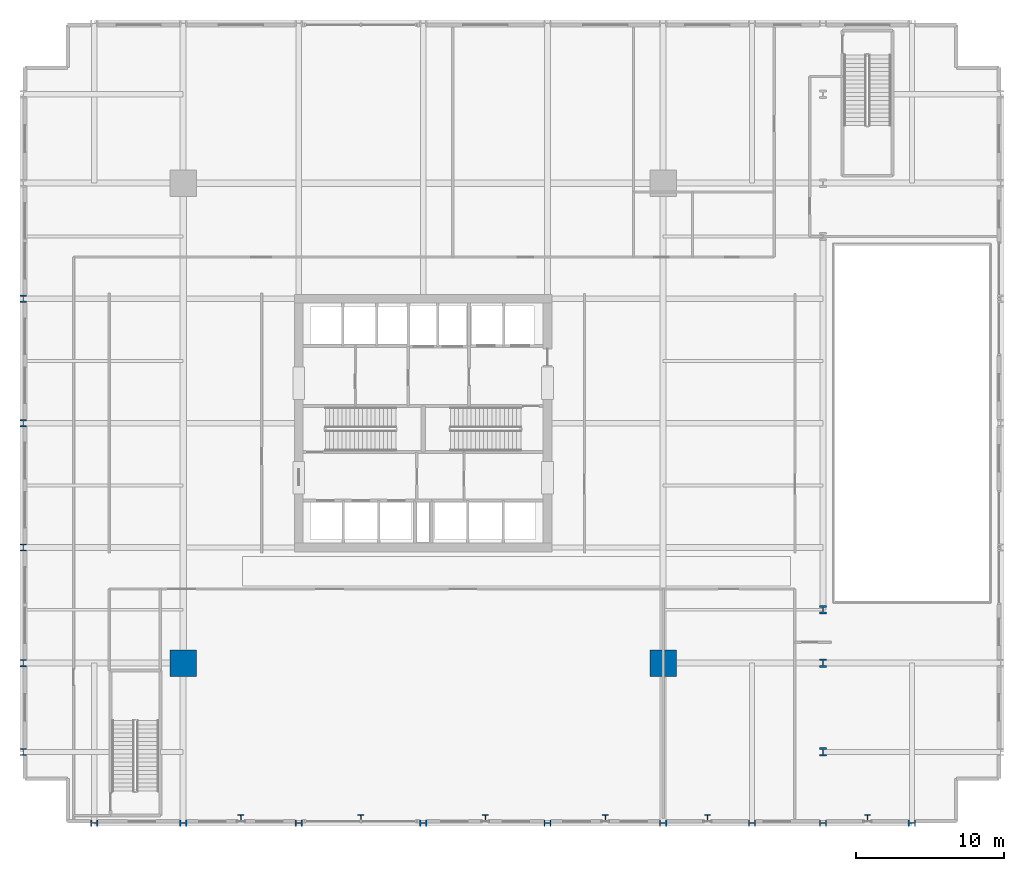
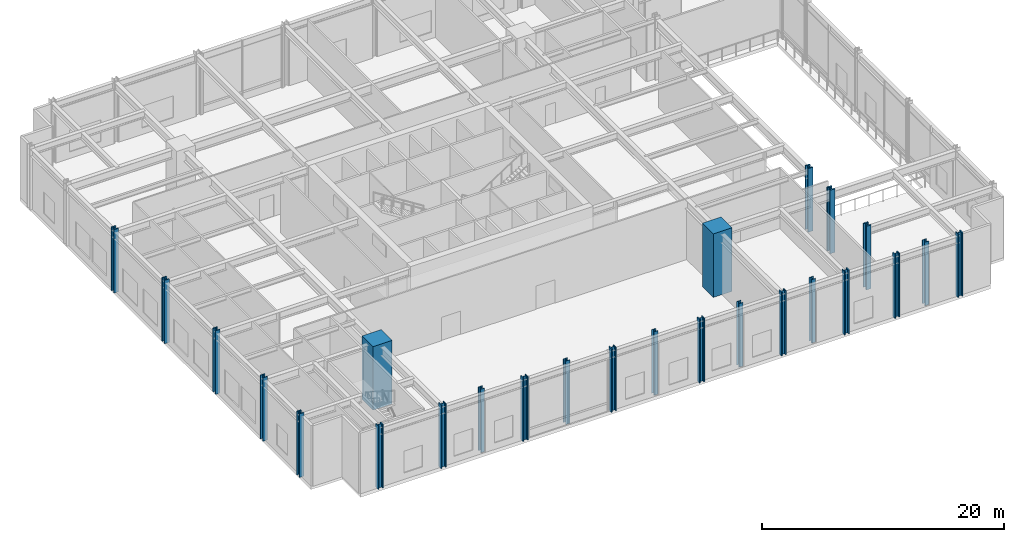
# One storey, part 1 of 20: 25 columns.
"""IFC4 building model written with IfcOpenShell, lengths in metres."""

from ifc_helpers import new_model, si_unit, direction, frame, origin, origin_2d, place, context, subcontext, project, spatial, rectangle, i_section, extrude, material, material_profile, profile_set, type_object, element, save


model = new_model("IFC4")

# Units and contexts
model_context = context("Model", 3, precision=1e-05, world=origin(), true_north=direction((0.0, 1.0)))
body_context = subcontext(model_context, "Body", "Model", "MODEL_VIEW")
ifc_project = project(units=[si_unit("LENGTHUNIT", "METRE"), si_unit("AREAUNIT", "SQUARE_METRE"), si_unit("VOLUMEUNIT", "CUBIC_METRE"), si_unit("PLANEANGLEUNIT", "RADIAN"), si_unit("MASSUNIT", "GRAM", prefix="KILO")], contexts=[model_context])

# Site, building, storey
site_placement = place(None, origin())
site = spatial("IfcSite", under=ifc_project, at=site_placement, CompositionType="ELEMENT")
building_placement = place(site_placement, origin())
building = spatial("IfcBuilding", under=site, at=building_placement, Name="Drelvath Grand Hotel", CompositionType="ELEMENT")
storey_placement = place(building_placement, frame((0.0, 0.0, 10.800048828125)))
storey = spatial("IfcBuildingStorey", under=building, at=storey_placement, Name="L02", CompositionType="ELEMENT", Elevation=10.800048828125)

# Columns
ifc_material_1 = material(Name="Steel ASTM A913 Gr 65", Category="steel")
ifc_material_profile_1 = material_profile(ifc_material_1, i_section(OverallWidth=0.4013671875, OverallDepth=0.3994140625, WebThickness=0.02490234375, FlangeThickness=0.03955078125, FilletRadius=0.02490234375, at=origin_2d()), Name="W14X211")
ifc_profile_set_1 = profile_set([ifc_material_profile_1], Name="Steel ASTM A913 Gr 65")
column_type_1 = type_object("IfcColumnType", Name="Colonnade Steel Pilaster W14X211", PredefinedType="COLUMN", material=ifc_profile_set_1)
for number, where, z_axis, x_axis, name in (
    (1, (-12.300048828125, 0.35009765625, 0.0), (0.0, 0.0, 1.0), (1.0, 0.0, 0.0), "L02 Colonnade Pilaster PIL-S1"),
    (2, (-4.199951171875, 0.35009765625, 0.0), (0.0, 0.0, 1.0), (1.0, 0.0, 0.0), "L02 Colonnade Pilaster PIL-S2"),
    (3, (4.199951171875, 0.35009765625, 0.0), (0.0, 0.0, 1.0), (1.0, 0.0, 0.0), "L02 Colonnade Pilaster PIL-S3"),
    (4, (12.300048828125, 0.35009765625, 0.0), (0.0, 0.0, 1.0), (1.0, 0.0, 0.0), "L02 Colonnade Pilaster PIL-S4"),
    (5, (19.199951171875, 0.35009765625, 0.0), (0.0, 0.0, 1.0), (1.0, 0.0, 0.0), "L02 Colonnade Pilaster PIL-S5"),
    (6, (30.0, 0.35009765625, 0.0), (0.0, 0.0, 1.0), (1.0, 0.0, 0.0), "L02 Colonnade Pilaster PIL-S6"),
):
    element("IfcColumn", number, at=place(storey_placement, frame(where, z_axis=z_axis, x_axis=x_axis)), inside=storey, type_object=column_type_1, Name=name, PredefinedType="COLUMN", context=body_context, shape_type="SweptSolid", body=[
        extrude(i_section(OverallWidth=0.4013671875, OverallDepth=0.3994140625, WebThickness=0.02490234375, FlangeThickness=0.03955078125, FilletRadius=0.02490234375, at=origin_2d()), origin(), (0.0, 0.0, 1.0), 6.39990234375),
    ])
ifc_material_2 = material(Name="Concrete f'c 70 MPa", Category="concrete")
ifc_material_profile_2 = material_profile(ifc_material_2, rectangle(XDim=1.800048828125, YDim=1.800048828125, at=origin_2d()), Name="MC1800X1800")
ifc_profile_set_2 = profile_set([ifc_material_profile_2], Name="Concrete f'c 70 MPa")
column_type_2 = type_object("IfcColumnType", Name="Composite Mega Column MC1800X1800", PredefinedType="COLUMN", material=ifc_profile_set_2)
for number, where, z_axis, x_axis, name in (
    (7, (-16.199951171875, 10.800048828125, 0.0), (0.0, 0.0, 1.0), (1.0, 0.0, 0.0), "L02 Composite Mega Column MC-SW"),
    (8, (16.199951171875, 10.800048828125, 0.0), (0.0, 0.0, 1.0), (1.0, 0.0, 0.0), "L02 Composite Mega Column MC-SE"),
):
    element("IfcColumn", number, at=place(storey_placement, frame(where, z_axis=z_axis, x_axis=x_axis)), inside=storey, type_object=column_type_2, Name=name, PredefinedType="COLUMN", context=body_context, shape_type="SweptSolid", body=[
        extrude(rectangle(XDim=1.800048828125, YDim=1.800048828125, at=origin_2d()), origin(), (0.0, 0.0, 1.0), 6.39990234375),
    ])
ifc_material_profile_3 = material_profile(ifc_material_1, i_section(OverallWidth=0.43212890625, OverallDepth=0.497802734375, WebThickness=0.0556640625, FlangeThickness=0.0888671875, FilletRadius=0.030029296875, at=origin_2d()), Name="W14X500")
ifc_profile_set_3 = profile_set([ifc_material_profile_3], Name="Steel ASTM A913 Gr 65")
column_type_3 = type_object("IfcColumnType", Name="Perimeter Steel Column W14X500", PredefinedType="COLUMN", material=ifc_profile_set_3)
for number, where, z_axis, x_axis, name in (
    (9, (-27.0, 4.800048828125, 0.0), (0.0, 0.0, 1.0), (1.0, 0.0, 0.0), "L02 Structural Column PCW-B"),
    (10, (-27.0, 10.800048828125, 0.0), (0.0, 0.0, 1.0), (1.0, 0.0, 0.0), "L02 Structural Column PCW-C"),
    (11, (-27.0, 18.60009765625, 0.0), (0.0, 0.0, 1.0), (1.0, 0.0, 0.0), "L02 Structural Column PCW-D"),
    (12, (-27.0, 27.0, 0.0), (0.0, 0.0, 1.0), (1.0, 0.0, 0.0), "L02 Structural Column PCW-E"),
    (13, (-27.0, 35.39990234375, 0.0), (0.0, 0.0, 1.0), (1.0, 0.0, 0.0), "L02 Structural Column PCW-F"),
    (14, (-22.199951171875, 0.0, 0.0), (0.0, 0.0, 1.0), (0.0, 1.0, 0.0), "L02 Structural Column PCS-2"),
    (15, (-16.199951171875, 0.0, 0.0), (0.0, 0.0, 1.0), (0.0, 1.0, 0.0), "L02 Structural Column PCS-3"),
    (16, (-8.39990234375, 0.0, 0.0), (0.0, 0.0, 1.0), (0.0, 1.0, 0.0), "L02 Structural Column PCS-4"),
    (17, (0.0, 0.0, 0.0), (0.0, 0.0, 1.0), (0.0, 1.0, 0.0), "L02 Structural Column PCS-5"),
    (18, (8.39990234375, 0.0, 0.0), (0.0, 0.0, 1.0), (0.0, 1.0, 0.0), "L02 Structural Column PCS-6"),
    (19, (16.199951171875, 0.0, 0.0), (0.0, 0.0, 1.0), (0.0, 1.0, 0.0), "L02 Structural Column PCS-7"),
    (20, (22.199951171875, 0.0, 0.0), (0.0, 0.0, 1.0), (0.0, 1.0, 0.0), "L02 Structural Column PCS-8"),
    (21, (27.0, 0.0, 0.0), (0.0, 0.0, 1.0), (0.0, 1.0, 0.0), "L02 Structural Column PCS-9"),
    (22, (33.0, 0.0, 0.0), (0.0, 0.0, 1.0), (0.0, 1.0, 0.0), "L02 Structural Column PCS-10"),
):
    element("IfcColumn", number, at=place(storey_placement, frame(where, z_axis=z_axis, x_axis=x_axis)), inside=storey, type_object=column_type_3, Name=name, PredefinedType="COLUMN", context=body_context, shape_type="SweptSolid", body=[
        extrude(i_section(OverallWidth=0.43212890625, OverallDepth=0.497802734375, WebThickness=0.0556640625, FlangeThickness=0.0888671875, FilletRadius=0.030029296875, at=origin_2d()), origin(), (0.0, 0.0, 1.0), 6.39990234375),
    ])
ifc_material_profile_4 = material_profile(ifc_material_1, i_section(OverallWidth=0.454345703125, OverallDepth=0.569091796875, WebThickness=0.077880859375, FlangeThickness=0.124755859375, FilletRadius=0.030029296875, at=origin_2d()), Name="W14X730")
ifc_profile_set_4 = profile_set([ifc_material_profile_4], Name="Steel ASTM A913 Gr 65")
column_type_4 = type_object("IfcColumnType", Name="Perimeter Steel Column W14X730", PredefinedType="COLUMN", material=ifc_profile_set_4)
for number, where, z_axis, x_axis, name in (
    (23, (27.0, 4.800048828125, 0.0), (0.0, 0.0, 1.0), (1.0, 0.0, 0.0), "L02 Structural Column PCP9-B"),
    (24, (27.0, 10.800048828125, 0.0), (0.0, 0.0, 1.0), (1.0, 0.0, 0.0), "L02 Structural Column PCP9-C"),
    (25, (27.0, 14.39990234375, 0.0), (0.0, 0.0, 1.0), (1.0, 0.0, 0.0), "L02 Structural Column PCP9-AT1"),
):
    element("IfcColumn", number, at=place(storey_placement, frame(where, z_axis=z_axis, x_axis=x_axis)), inside=storey, type_object=column_type_4, Name=name, PredefinedType="COLUMN", context=body_context, shape_type="SweptSolid", body=[
        extrude(i_section(OverallWidth=0.454345703125, OverallDepth=0.569091796875, WebThickness=0.077880859375, FlangeThickness=0.124755859375, FilletRadius=0.030029296875, at=origin_2d()), origin(), (0.0, 0.0, 1.0), 6.39990234375),
    ])

save(model, "model.ifc")
